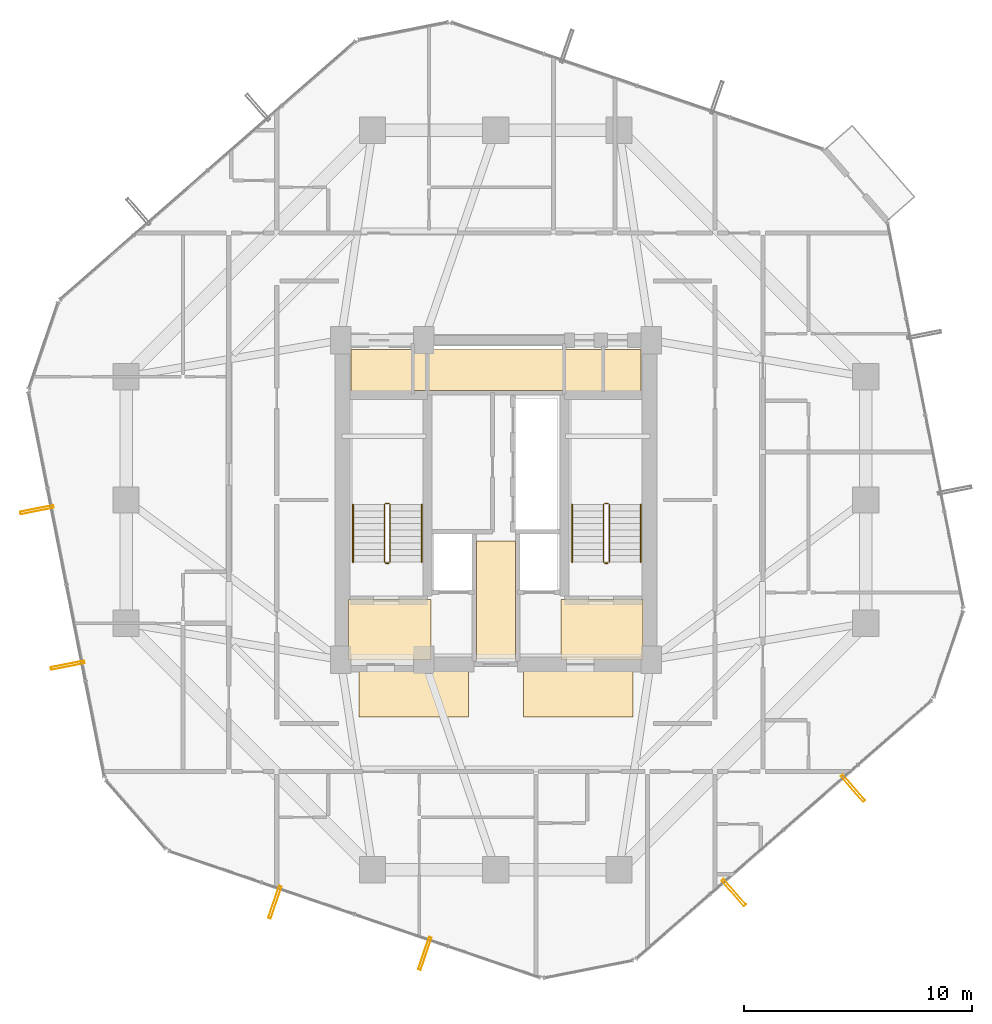
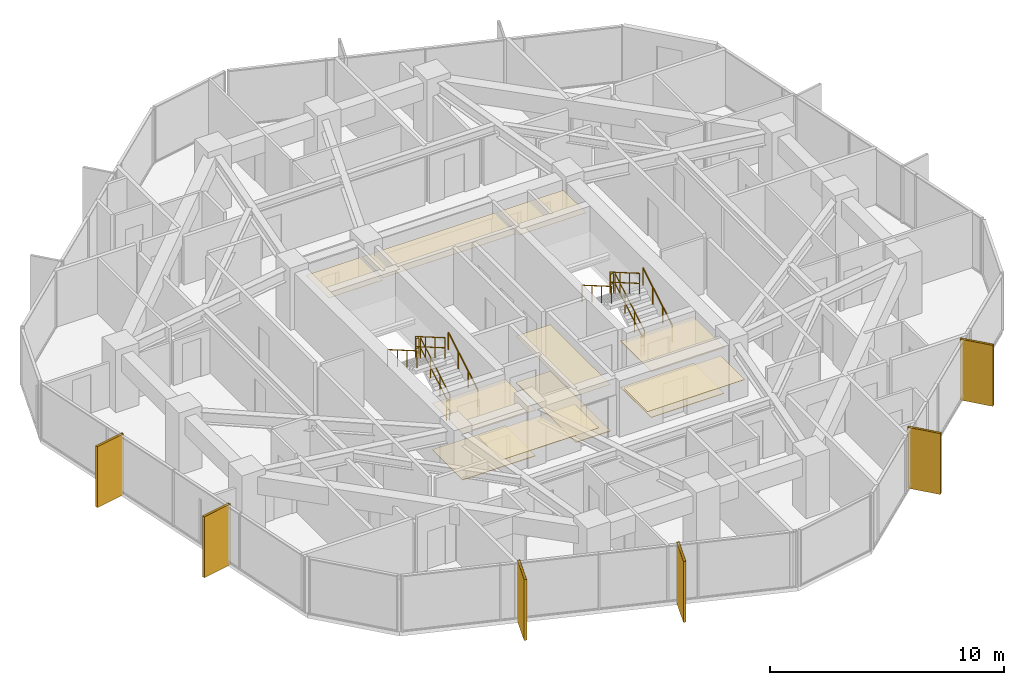
# One storey, part 35 of 36: 12 railings, 11 coverings, 6 shading devices.
"""IFC4 building model written with IfcOpenShell, lengths in metres."""

from ifc_helpers import new_model, si_unit, direction, frame, origin, origin_2d, place, context, subcontext, project, spatial, polyline, hollow_rectangle, circle, outline, extrude, material, layer, layer_set, material_profile, profile_set, type_object, element, save


model = new_model("IFC4")

# Units and contexts
model_context = context("Model", 3, precision=1e-05, world=origin(), true_north=direction((0.0, 1.0)))
body_context = subcontext(model_context, "Body", "Model", "MODEL_VIEW")
ifc_project = project(units=[si_unit("LENGTHUNIT", "METRE"), si_unit("AREAUNIT", "SQUARE_METRE"), si_unit("VOLUMEUNIT", "CUBIC_METRE"), si_unit("PLANEANGLEUNIT", "RADIAN"), si_unit("MASSUNIT", "GRAM", prefix="KILO")], contexts=[model_context])

# Site, building, storey
site_placement = place(None, origin())
site = spatial("IfcSite", under=ifc_project, at=site_placement, CompositionType="ELEMENT")
building_placement = place(site_placement, origin())
building = spatial("IfcBuilding", under=site, at=building_placement, Name="Veraguas Prism Commons", CompositionType="ELEMENT")
storey_placement = place(building_placement, frame((0.0, 0.0, 166.300048828125)))
storey = spatial("IfcBuildingStorey", under=building, at=storey_placement, Name="L47", CompositionType="ELEMENT", Elevation=166.300048828125)

# Shading devices
ifc_material_1 = material(Name="Anodised aluminium EN AW-6063 T6", Category="aluminium")
ifc_material_profile = material_profile(ifc_material_1, hollow_rectangle(XDim=0.1201171875, YDim=1.489990234375, WallThickness=0.006103515625, at=origin_2d()), Name="FIN120X1490X6")
ifc_profile_set = profile_set([ifc_material_profile], Name="Anodised aluminium EN AW-6063 T6")
shading_device_type = type_object("IfcShadingDeviceType", Name="Deep Pale-Metal Vertical Solar Fin 120x1490", PredefinedType="USERDEFINED", material=ifc_profile_set)
for number, where, z_axis, x_axis, name in (
    (1, (3.895263671875, 23.571533203125, -0.22998046875), (0.0, 0.0, 1.0), (0.193546043398, -0.981091193052, 0.0), "Vertical Pale-Metal Solar Fin L47-F3A"),
    (2, (5.23876953125, 16.760986328125, -0.22998046875), (0.0, 0.0, 1.0), (0.193546043398, -0.981091193052, 0.0), "Vertical Pale-Metal Solar Fin L47-F3B"),
    (3, (14.31884765625, 6.37451171875, -0.22998046875), (0.0, 0.0, 1.0), (0.946424045543, -0.322926502501, 0.0), "Vertical Pale-Metal Solar Fin L47-F4A"),
    (4, (20.888671875, 4.1328125, -0.22998046875), (0.0, 0.0, 1.0), (0.946424045543, -0.322926502501, 0.0), "Vertical Pale-Metal Solar Fin L47-F4B"),
    (5, (34.42333984375, 6.802978515625, -0.22998046875), (0.0, 0.0, 1.0), (0.752873428778, 0.658165328956, 0.0), "Vertical Pale-Metal Solar Fin L47-F5A"),
    (6, (39.649658203125, 11.371826171875, -0.22998046875), (0.0, 0.0, 1.0), (0.752873428778, 0.658165328956, 0.0), "Vertical Pale-Metal Solar Fin L47-F5B"),
):
    element("IfcShadingDevice", number, at=place(storey_placement, frame(where, z_axis=z_axis, x_axis=x_axis)), inside=storey, type_object=shading_device_type, Name=name, ObjectType="FIN", PredefinedType="USERDEFINED", context=body_context, shape_type="SweptSolid", body=[
        extrude(hollow_rectangle(XDim=0.1201171875, YDim=1.489990234375, WallThickness=0.006103515625, at=origin_2d()), origin(), (0.0, 0.0, 1.0), 3.179931640625),
    ])

# Coverings
ifc_material_2 = material(Name="Acoustic gypsum board")
ifc_layer_1 = layer(ifc_material_2, 0.02490234375, Name="Perforated Acoustic Ceiling Tile 25")
ifc_layer_set_1 = layer_set([ifc_layer_1], Name="Acoustic gypsum board")
covering_type_1 = type_object("IfcCoveringType", Name="Perforated Acoustic Ceiling Tile 25", PredefinedType="USERDEFINED", material=ifc_layer_set_1)
covering_1_placement = place(storey_placement, frame((0.0, 0.0, 2.425048828125)))
element("IfcCovering", 7, at=covering_1_placement, inside=storey, type_object=covering_type_1, Name="East Lobby Acoustic Ceiling L47", ObjectType="ACOUSTIC CEILING", PredefinedType="USERDEFINED", context=body_context, shape_type="SweptSolid", body=[
    extrude(outline(polyline([(26.85009765625, 17.0), (30.449951171875, 17.0), (30.449951171875, 19.64990234375), (26.85009765625, 19.64990234375), (26.85009765625, 17.0)])), origin(), (0.0, 0.0, 1.0), 0.02490234375),
])
ifc_material_3 = material(Name="Terrazzo stone finish", Category="masonry")
ifc_layer_2 = layer(ifc_material_3, 0.030029296875, Name="Polished Terrazzo Floor Finish 30", Category="masonry")
ifc_layer_set_2 = layer_set([ifc_layer_2], Name="Terrazzo stone finish")
covering_type_2 = type_object("IfcCoveringType", Name="Polished Terrazzo Floor Finish 30", PredefinedType="FLOORING", material=ifc_layer_set_2)
covering_2_placement = place(storey_placement, origin())
element("IfcCovering", 8, at=covering_2_placement, inside=storey, type_object=covering_type_2, Name="Terrazzo Lobby Flooring L47", PredefinedType="FLOORING", context=body_context, shape_type="SweptSolid", body=[
    extrude(outline(polyline([(23.14990234375, 17.050048828125), (24.85009765625, 17.050048828125), (24.85009765625, 22.199951171875), (23.14990234375, 22.199951171875), (23.14990234375, 17.050048828125)])), origin(), (0.0, 0.0, 1.0), 0.030029296875),
])
covering_3_placement = place(storey_placement, origin())
element("IfcCovering", 9, at=covering_3_placement, inside=storey, type_object=covering_type_2, Name="West FF Lobby Terrazzo Flooring L47", PredefinedType="FLOORING", context=body_context, shape_type="SweptSolid", body=[
    extrude(outline(polyline([(17.550048828125, 17.050048828125), (21.14990234375, 17.050048828125), (21.14990234375, 19.64990234375), (17.550048828125, 19.64990234375), (17.550048828125, 17.050048828125)])), origin(), (0.0, 0.0, 1.0), 0.030029296875),
])
covering_4_placement = place(storey_placement, origin())
element("IfcCovering", 10, at=covering_4_placement, inside=storey, type_object=covering_type_2, Name="East FF Lobby Terrazzo Flooring L47", PredefinedType="FLOORING", context=body_context, shape_type="SweptSolid", body=[
    extrude(outline(polyline([(26.85009765625, 17.050048828125), (30.449951171875, 17.050048828125), (30.449951171875, 19.64990234375), (26.85009765625, 19.64990234375), (26.85009765625, 17.050048828125)])), origin(), (0.0, 0.0, 1.0), 0.030029296875),
])

# Railings
ifc_material_4 = material(Name="Stainless steel AISI 316", Category="steel")
railing_type_1 = type_object("IfcRailingType", Name="Stair and Ramp Stainless Handrail 900", PredefinedType="HANDRAIL", material=ifc_material_4)
railing_1_placement = place(storey_placement, frame((20.75, 21.280029296875, 0.162353515625)))
element("IfcRailing", 11, at=railing_1_placement, inside=storey, type_object=railing_type_1, Name="Stair Handrail ST-01 L47-1", PredefinedType="HANDRAIL", context=body_context, shape_type="SweptSolid", body=[
    extrude(circle(Radius=0.02392578125, at=origin_2d()), frame((0.0, 0.0, 0.8759765625), z_axis=(0.0, 0.864876961378, 0.501983905795), x_axis=(-1.0, 0.0, 0.0)), (0.0, 0.0, 1.0), 2.913818359375),
    extrude(circle(Radius=0.02099609375, at=origin_2d()), origin(), (0.0, 0.0, 1.0), 0.851806640625),
    extrude(circle(Radius=0.02099609375, at=origin_2d()), frame((0.0, 0.840087890625, 0.487548828125)), (0.0, 0.0, 1.0), 0.851806640625),
    extrude(circle(Radius=0.02099609375, at=origin_2d()), frame((0.0, 1.679931640625, 0.97509765625)), (0.0, 0.0, 1.0), 0.851806640625),
    extrude(circle(Radius=0.02099609375, at=origin_2d()), frame((0.0, 2.52001953125, 1.462646484375)), (0.0, 0.0, 1.0), 0.851806640625),
])
railing_2_placement = place(storey_placement, frame((17.739990234375, 23.800048828125, 1.787353515625)))
element("IfcRailing", 12, at=railing_2_placement, inside=storey, type_object=railing_type_1, Name="Stair Handrail ST-01 L47-2", PredefinedType="HANDRAIL", context=body_context, shape_type="SweptSolid", body=[
    extrude(circle(Radius=0.02392578125, at=origin_2d()), frame((0.0, 0.0, 0.8759765625), z_axis=(0.0, -0.864876961378, 0.501983905795), x_axis=(1.0, 0.0, 0.0)), (0.0, 0.0, 1.0), 2.913818359375),
    extrude(circle(Radius=0.02099609375, at=origin_2d()), origin(), (0.0, 0.0, 1.0), 0.851806640625),
    extrude(circle(Radius=0.02099609375, at=origin_2d()), frame((0.0, -0.840087890625, 0.487548828125)), (0.0, 0.0, 1.0), 0.851806640625),
    extrude(circle(Radius=0.02099609375, at=origin_2d()), frame((0.0, -1.679931640625, 0.97509765625)), (0.0, 0.0, 1.0), 0.851806640625),
    extrude(circle(Radius=0.02099609375, at=origin_2d()), frame((0.0, -2.52001953125, 1.462646484375)), (0.0, 0.0, 1.0), 0.851806640625),
])
railing_3_placement = place(storey_placement, frame((30.35009765625, 21.280029296875, 0.162353515625)))
element("IfcRailing", 13, at=railing_3_placement, inside=storey, type_object=railing_type_1, Name="Stair Handrail ST-02 L47-1", PredefinedType="HANDRAIL", context=body_context, shape_type="SweptSolid", body=[
    extrude(circle(Radius=0.02392578125, at=origin_2d()), frame((0.0, 0.0, 0.8759765625), z_axis=(0.0, 0.864876961378, 0.501983905795), x_axis=(-1.0, 0.0, 0.0)), (0.0, 0.0, 1.0), 2.913818359375),
    extrude(circle(Radius=0.02099609375, at=origin_2d()), origin(), (0.0, 0.0, 1.0), 0.851806640625),
    extrude(circle(Radius=0.02099609375, at=origin_2d()), frame((0.0, 0.840087890625, 0.487548828125)), (0.0, 0.0, 1.0), 0.851806640625),
    extrude(circle(Radius=0.02099609375, at=origin_2d()), frame((0.0, 1.679931640625, 0.97509765625)), (0.0, 0.0, 1.0), 0.851806640625),
    extrude(circle(Radius=0.02099609375, at=origin_2d()), frame((0.0, 2.52001953125, 1.462646484375)), (0.0, 0.0, 1.0), 0.851806640625),
])
railing_4_placement = place(storey_placement, frame((27.340087890625, 23.800048828125, 1.787353515625)))
element("IfcRailing", 14, at=railing_4_placement, inside=storey, type_object=railing_type_1, Name="Stair Handrail ST-02 L47-2", PredefinedType="HANDRAIL", context=body_context, shape_type="SweptSolid", body=[
    extrude(circle(Radius=0.02392578125, at=origin_2d()), frame((0.0, 0.0, 0.8759765625), z_axis=(0.0, -0.864876961378, 0.501983905795), x_axis=(1.0, 0.0, 0.0)), (0.0, 0.0, 1.0), 2.913818359375),
    extrude(circle(Radius=0.02099609375, at=origin_2d()), origin(), (0.0, 0.0, 1.0), 0.851806640625),
    extrude(circle(Radius=0.02099609375, at=origin_2d()), frame((0.0, -0.840087890625, 0.487548828125)), (0.0, 0.0, 1.0), 0.851806640625),
    extrude(circle(Radius=0.02099609375, at=origin_2d()), frame((0.0, -1.679931640625, 0.97509765625)), (0.0, 0.0, 1.0), 0.851806640625),
    extrude(circle(Radius=0.02099609375, at=origin_2d()), frame((0.0, -2.52001953125, 1.462646484375)), (0.0, 0.0, 1.0), 0.851806640625),
])
railing_type_2 = type_object("IfcRailingType", Name="Stairwell Safety Guardrail 1100", PredefinedType="GUARDRAIL", material=ifc_material_4)
railing_5_placement = place(storey_placement, frame((19.3701171875, 21.280029296875, 0.162353515625)))
element("IfcRailing", 15, at=railing_5_placement, inside=storey, type_object=railing_type_2, Name="Stair Guard ST-01 L47-1", PredefinedType="GUARDRAIL", context=body_context, shape_type="SweptSolid", body=[
    extrude(circle(Radius=0.02392578125, at=origin_2d()), frame((0.0, 0.0, 1.076171875), z_axis=(0.0, 0.864876961378, 0.501983905795), x_axis=(-1.0, 0.0, 0.0)), (0.0, 0.0, 1.0), 2.913818359375),
    extrude(circle(Radius=0.02392578125, at=origin_2d()), frame((0.0, 0.0, 0.550048828125), z_axis=(0.0, 0.864876961378, 0.501983905795), x_axis=(-1.0, 0.0, 0.0)), (0.0, 0.0, 1.0), 2.913818359375),
    extrude(circle(Radius=0.02099609375, at=origin_2d()), origin(), (0.0, 0.0, 1.0), 1.052001953125),
    extrude(circle(Radius=0.02099609375, at=origin_2d()), frame((0.0, 0.840087890625, 0.487548828125)), (0.0, 0.0, 1.0), 1.052001953125),
    extrude(circle(Radius=0.02099609375, at=origin_2d()), frame((0.0, 1.679931640625, 0.97509765625)), (0.0, 0.0, 1.0), 1.052001953125),
    extrude(circle(Radius=0.02099609375, at=origin_2d()), frame((0.0, 2.52001953125, 1.462646484375)), (0.0, 0.0, 1.0), 1.052001953125),
])
railing_6_placement = place(storey_placement, frame((19.320068359375, 23.85009765625, 1.625)))
element("IfcRailing", 16, at=railing_6_placement, inside=storey, type_object=railing_type_2, Name="Stair Guard ST-01 L47-2", PredefinedType="GUARDRAIL", context=body_context, shape_type="SweptSolid", body=[
    extrude(circle(Radius=0.02392578125, at=origin_2d()), frame((0.0, 0.0, 1.076171875), z_axis=(-1.0, 0.0, 0.0), x_axis=(0.0, -1.0, 0.0)), (0.0, 0.0, 1.0), 0.150146484375),
    extrude(circle(Radius=0.02392578125, at=origin_2d()), frame((0.0, 0.0, 0.550048828125), z_axis=(-1.0, 0.0, 0.0), x_axis=(0.0, -1.0, 0.0)), (0.0, 0.0, 1.0), 0.150146484375),
    extrude(circle(Radius=0.02099609375, at=origin_2d()), origin(), (0.0, 0.0, 1.0), 1.052001953125),
    extrude(circle(Radius=0.02099609375, at=origin_2d()), frame((-0.150146484375, 0.0, 0.0)), (0.0, 0.0, 1.0), 1.052001953125),
])
railing_7_placement = place(storey_placement, frame((19.1201171875, 23.800048828125, 1.787353515625)))
element("IfcRailing", 17, at=railing_7_placement, inside=storey, type_object=railing_type_2, Name="Stair Guard ST-01 L47-3", PredefinedType="GUARDRAIL", context=body_context, shape_type="SweptSolid", body=[
    extrude(circle(Radius=0.02392578125, at=origin_2d()), frame((0.0, 0.0, 1.076171875), z_axis=(0.0, -0.864876961378, 0.501983905795), x_axis=(1.0, 0.0, 0.0)), (0.0, 0.0, 1.0), 2.913818359375),
    extrude(circle(Radius=0.02392578125, at=origin_2d()), frame((0.0, 0.0, 0.550048828125), z_axis=(0.0, -0.864876961378, 0.501983905795), x_axis=(1.0, 0.0, 0.0)), (0.0, 0.0, 1.0), 2.913818359375),
    extrude(circle(Radius=0.02099609375, at=origin_2d()), origin(), (0.0, 0.0, 1.0), 1.052001953125),
    extrude(circle(Radius=0.02099609375, at=origin_2d()), frame((0.0, -0.840087890625, 0.487548828125)), (0.0, 0.0, 1.0), 1.052001953125),
    extrude(circle(Radius=0.02099609375, at=origin_2d()), frame((0.0, -1.679931640625, 0.97509765625)), (0.0, 0.0, 1.0), 1.052001953125),
    extrude(circle(Radius=0.02099609375, at=origin_2d()), frame((0.0, -2.52001953125, 1.462646484375)), (0.0, 0.0, 1.0), 1.052001953125),
])
railing_8_placement = place(storey_placement, frame((19.320068359375, 21.22998046875, 0.0)))
element("IfcRailing", 18, at=railing_8_placement, inside=storey, type_object=railing_type_2, Name="Stair Guard ST-01 L47-4", PredefinedType="GUARDRAIL", context=body_context, shape_type="SweptSolid", body=[
    extrude(circle(Radius=0.02392578125, at=origin_2d()), frame((0.0, 0.0, 1.076171875), z_axis=(-1.0, 0.0, 0.0), x_axis=(0.0, -1.0, 0.0)), (0.0, 0.0, 1.0), 0.150146484375),
    extrude(circle(Radius=0.02392578125, at=origin_2d()), frame((0.0, 0.0, 0.550048828125), z_axis=(-1.0, 0.0, 0.0), x_axis=(0.0, -1.0, 0.0)), (0.0, 0.0, 1.0), 0.150146484375),
    extrude(circle(Radius=0.02099609375, at=origin_2d()), origin(), (0.0, 0.0, 1.0), 1.052001953125),
    extrude(circle(Radius=0.02099609375, at=origin_2d()), frame((-0.150146484375, 0.0, 0.0)), (0.0, 0.0, 1.0), 1.052001953125),
])
railing_9_placement = place(storey_placement, frame((28.969970703125, 21.280029296875, 0.162353515625)))
element("IfcRailing", 19, at=railing_9_placement, inside=storey, type_object=railing_type_2, Name="Stair Guard ST-02 L47-1", PredefinedType="GUARDRAIL", context=body_context, shape_type="SweptSolid", body=[
    extrude(circle(Radius=0.02392578125, at=origin_2d()), frame((0.0, 0.0, 1.076171875), z_axis=(0.0, 0.864876961378, 0.501983905795), x_axis=(-1.0, 0.0, 0.0)), (0.0, 0.0, 1.0), 2.913818359375),
    extrude(circle(Radius=0.02392578125, at=origin_2d()), frame((0.0, 0.0, 0.550048828125), z_axis=(0.0, 0.864876961378, 0.501983905795), x_axis=(-1.0, 0.0, 0.0)), (0.0, 0.0, 1.0), 2.913818359375),
    extrude(circle(Radius=0.02099609375, at=origin_2d()), origin(), (0.0, 0.0, 1.0), 1.052001953125),
    extrude(circle(Radius=0.02099609375, at=origin_2d()), frame((0.0, 0.840087890625, 0.487548828125)), (0.0, 0.0, 1.0), 1.052001953125),
    extrude(circle(Radius=0.02099609375, at=origin_2d()), frame((0.0, 1.679931640625, 0.97509765625)), (0.0, 0.0, 1.0), 1.052001953125),
    extrude(circle(Radius=0.02099609375, at=origin_2d()), frame((0.0, 2.52001953125, 1.462646484375)), (0.0, 0.0, 1.0), 1.052001953125),
])
railing_10_placement = place(storey_placement, frame((28.919921875, 23.85009765625, 1.625)))
element("IfcRailing", 20, at=railing_10_placement, inside=storey, type_object=railing_type_2, Name="Stair Guard ST-02 L47-2", PredefinedType="GUARDRAIL", context=body_context, shape_type="SweptSolid", body=[
    extrude(circle(Radius=0.02392578125, at=origin_2d()), frame((0.0, 0.0, 1.076171875), z_axis=(-1.0, 0.0, 0.0), x_axis=(0.0, -1.0, 0.0)), (0.0, 0.0, 1.0), 0.14990234375),
    extrude(circle(Radius=0.02392578125, at=origin_2d()), frame((0.0, 0.0, 0.550048828125), z_axis=(-1.0, 0.0, 0.0), x_axis=(0.0, -1.0, 0.0)), (0.0, 0.0, 1.0), 0.14990234375),
    extrude(circle(Radius=0.02099609375, at=origin_2d()), origin(), (0.0, 0.0, 1.0), 1.052001953125),
    extrude(circle(Radius=0.02099609375, at=origin_2d()), frame((-0.14990234375, 0.0, 0.0)), (0.0, 0.0, 1.0), 1.052001953125),
])
railing_11_placement = place(storey_placement, frame((28.719970703125, 23.800048828125, 1.787353515625)))
element("IfcRailing", 21, at=railing_11_placement, inside=storey, type_object=railing_type_2, Name="Stair Guard ST-02 L47-3", PredefinedType="GUARDRAIL", context=body_context, shape_type="SweptSolid", body=[
    extrude(circle(Radius=0.02392578125, at=origin_2d()), frame((0.0, 0.0, 1.076171875), z_axis=(0.0, -0.864876961378, 0.501983905795), x_axis=(1.0, 0.0, 0.0)), (0.0, 0.0, 1.0), 2.913818359375),
    extrude(circle(Radius=0.02392578125, at=origin_2d()), frame((0.0, 0.0, 0.550048828125), z_axis=(0.0, -0.864876961378, 0.501983905795), x_axis=(1.0, 0.0, 0.0)), (0.0, 0.0, 1.0), 2.913818359375),
    extrude(circle(Radius=0.02099609375, at=origin_2d()), origin(), (0.0, 0.0, 1.0), 1.052001953125),
    extrude(circle(Radius=0.02099609375, at=origin_2d()), frame((0.0, -0.840087890625, 0.487548828125)), (0.0, 0.0, 1.0), 1.052001953125),
    extrude(circle(Radius=0.02099609375, at=origin_2d()), frame((0.0, -1.679931640625, 0.97509765625)), (0.0, 0.0, 1.0), 1.052001953125),
    extrude(circle(Radius=0.02099609375, at=origin_2d()), frame((0.0, -2.52001953125, 1.462646484375)), (0.0, 0.0, 1.0), 1.052001953125),
])
railing_12_placement = place(storey_placement, frame((28.919921875, 21.22998046875, 0.0)))
element("IfcRailing", 22, at=railing_12_placement, inside=storey, type_object=railing_type_2, Name="Stair Guard ST-02 L47-4", PredefinedType="GUARDRAIL", context=body_context, shape_type="SweptSolid", body=[
    extrude(circle(Radius=0.02392578125, at=origin_2d()), frame((0.0, 0.0, 1.076171875), z_axis=(-1.0, 0.0, 0.0), x_axis=(0.0, -1.0, 0.0)), (0.0, 0.0, 1.0), 0.14990234375),
    extrude(circle(Radius=0.02392578125, at=origin_2d()), frame((0.0, 0.0, 0.550048828125), z_axis=(-1.0, 0.0, 0.0), x_axis=(0.0, -1.0, 0.0)), (0.0, 0.0, 1.0), 0.14990234375),
    extrude(circle(Radius=0.02099609375, at=origin_2d()), origin(), (0.0, 0.0, 1.0), 1.052001953125),
    extrude(circle(Radius=0.02099609375, at=origin_2d()), frame((-0.14990234375, 0.0, 0.0)), (0.0, 0.0, 1.0), 1.052001953125),
])

# Coverings
ifc_layer_3 = layer(ifc_material_2, 0.02001953125, Name="Suspended Gypsum Ceiling 20")
ifc_layer_set_3 = layer_set([ifc_layer_3], Name="Acoustic gypsum board")
covering_type_3 = type_object("IfcCoveringType", Name="Suspended Gypsum Ceiling 20", PredefinedType="CEILING", material=ifc_layer_set_3)
covering_5_placement = place(storey_placement, frame((0.0, 0.0, 2.429931640625)))
element("IfcCovering", 23, at=covering_5_placement, inside=storey, type_object=covering_type_3, Name="West Lobby Suspended Gypsum Ceiling L47", PredefinedType="CEILING", context=body_context, shape_type="SweptSolid", body=[
    extrude(outline(polyline([(17.550048828125, 17.0), (21.14990234375, 17.0), (21.14990234375, 19.64990234375), (17.550048828125, 19.64990234375), (17.550048828125, 17.0)])), origin(), (0.0, 0.0, 1.0), 0.02001953125),
])
covering_6_placement = place(storey_placement, frame((0.0, 0.0, 2.429931640625)))
element("IfcCovering", 24, at=covering_6_placement, inside=storey, type_object=covering_type_3, Name="Core Lobby Acoustic Ceiling L47-1", PredefinedType="CEILING", context=body_context, shape_type="SweptSolid", body=[
    extrude(outline(polyline([(18.0, 14.5), (22.800048828125, 14.5), (22.800048828125, 16.550048828125), (18.0, 16.550048828125), (18.0, 14.5)])), origin(), (0.0, 0.0, 1.0), 0.02001953125),
])
covering_7_placement = place(storey_placement, frame((0.0, 0.0, 2.429931640625)))
element("IfcCovering", 25, at=covering_7_placement, inside=storey, type_object=covering_type_3, Name="Core Lobby Acoustic Ceiling L47-2", PredefinedType="CEILING", context=body_context, shape_type="SweptSolid", body=[
    extrude(outline(polyline([(25.199951171875, 14.5), (30.0, 14.5), (30.0, 16.550048828125), (25.199951171875, 16.550048828125), (25.199951171875, 14.5)])), origin(), (0.0, 0.0, 1.0), 0.02001953125),
])
covering_8_placement = place(storey_placement, frame((0.0, 0.0, 2.429931640625)))
element("IfcCovering", 26, at=covering_8_placement, inside=storey, type_object=covering_type_3, Name="Core Lobby Acoustic Ceiling L47-3", PredefinedType="CEILING", context=body_context, shape_type="SweptSolid", body=[
    extrude(outline(polyline([(23.14990234375, 17.050048828125), (24.85009765625, 17.050048828125), (24.85009765625, 22.199951171875), (23.14990234375, 22.199951171875), (23.14990234375, 17.050048828125)])), origin(), (0.0, 0.0, 1.0), 0.02001953125),
])
covering_9_placement = place(storey_placement, frame((0.0, 0.0, 2.429931640625)))
element("IfcCovering", 27, at=covering_9_placement, inside=storey, type_object=covering_type_3, Name="Core Lobby Acoustic Ceiling L47-4", PredefinedType="CEILING", context=body_context, shape_type="SweptSolid", body=[
    extrude(outline(polyline([(17.64990234375, 28.64990234375), (20.300048828125, 28.64990234375), (20.300048828125, 30.60009765625), (17.64990234375, 30.60009765625), (17.64990234375, 28.64990234375)])), origin(), (0.0, 0.0, 1.0), 0.02001953125),
])
covering_10_placement = place(storey_placement, frame((0.0, 0.0, 2.429931640625)))
element("IfcCovering", 28, at=covering_10_placement, inside=storey, type_object=covering_type_3, Name="Core Lobby Acoustic Ceiling L47-5", PredefinedType="CEILING", context=body_context, shape_type="SweptSolid", body=[
    extrude(outline(polyline([(27.050048828125, 28.64990234375), (30.35009765625, 28.64990234375), (30.35009765625, 30.60009765625), (27.050048828125, 30.60009765625), (27.050048828125, 28.64990234375)])), origin(), (0.0, 0.0, 1.0), 0.02001953125),
])
covering_11_placement = place(storey_placement, frame((0.0, 0.0, 2.429931640625)))
element("IfcCovering", 29, at=covering_11_placement, inside=storey, type_object=covering_type_3, Name="Core Lobby Acoustic Ceiling L47-6", PredefinedType="CEILING", context=body_context, shape_type="SweptSolid", body=[
    extrude(outline(polyline([(20.39990234375, 28.800048828125), (26.949951171875, 28.800048828125), (26.949951171875, 30.60009765625), (20.39990234375, 30.60009765625), (20.39990234375, 28.800048828125)])), origin(), (0.0, 0.0, 1.0), 0.02001953125),
])

save(model, "model.ifc")
